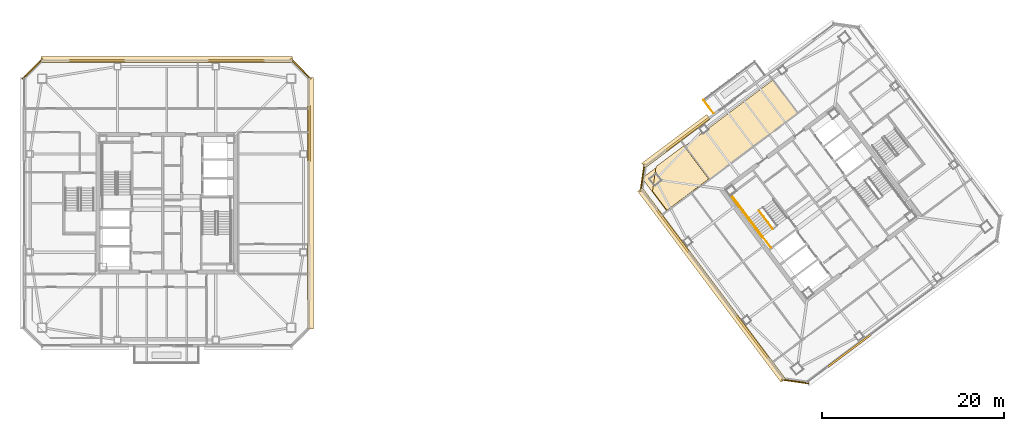
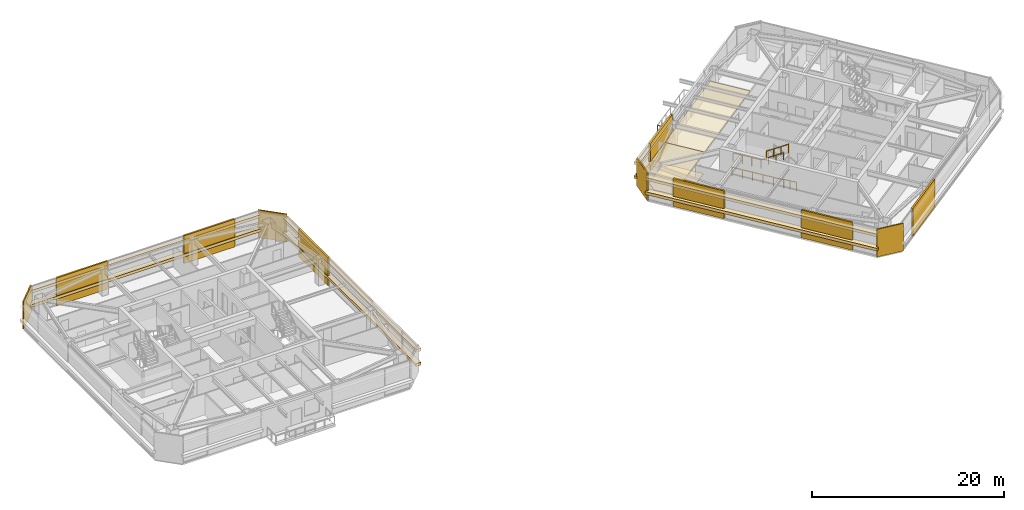
# One storey, part 33 of 36: 22 coverings, 6 railings.
"""IFC4 building model written with IfcOpenShell, lengths in metres."""

from ifc_helpers import new_model, si_unit, direction, frame, origin, origin_2d, place, context, subcontext, project, spatial, polyline, rectangle, outline, extrude, material, layer, layer_set, type_object, element, save


model = new_model("IFC4")

# Units and contexts
model_context = context("Model", 3, precision=1e-05, world=origin(), true_north=direction((0.0, 1.0)))
body_context = subcontext(model_context, "Body", "Model", "MODEL_VIEW")
ifc_project = project(units=[si_unit("LENGTHUNIT", "METRE"), si_unit("AREAUNIT", "SQUARE_METRE"), si_unit("VOLUMEUNIT", "CUBIC_METRE"), si_unit("PLANEANGLEUNIT", "RADIAN"), si_unit("MASSUNIT", "GRAM", prefix="KILO")], contexts=[model_context])

# Site, building, storey
site_placement = place(None, origin())
site = spatial("IfcSite", under=ifc_project, at=site_placement, CompositionType="ELEMENT")
building_placement = place(site_placement, origin())
building = spatial("IfcBuilding", under=site, at=building_placement, Name="Tashvorn Skyway Center", CompositionType="ELEMENT")
storey_placement = place(building_placement, frame((0.0, 0.0, 236.14990234375)))
storey = spatial("IfcBuildingStorey", under=building, at=storey_placement, Name="L64", CompositionType="ELEMENT", Elevation=236.14990234375)

# Coverings
ifc_material_1 = material(Name="Precast concrete C40/50", Category="concrete")
ifc_layer_1 = layer(ifc_material_1, 0.199951171875)
ifc_layer_set_1 = layer_set([ifc_layer_1], Name="Precast concrete C40/50")
covering_type_1 = type_object("IfcCoveringType", Name="COV-BRACE-CLAD", PredefinedType="CLADDING", material=ifc_layer_set_1)
for number, where, z_axis, x_axis, name in (
    (1, (34.344482421875, 47.679931640625, 0.0), (0.0, 0.0, 1.0), (1.0, 0.0, 0.0), "Tower 1 L64 North Unitised Curtain Wall Mega-Brace Cladding Band 1"),
    (2, (49.655517578125, 47.679931640625, 0.0), (0.0, 0.0, 1.0), (1.0, 0.0, 0.0), "Tower 1 L64 North Unitised Curtain Wall Mega-Brace Cladding Band 2"),
    (3, (57.679931640625, 39.655517578125, 0.0), (0.0, 0.0, 1.0), (0.0, -1.0, 0.0), "Tower 1 L64 East Unitised Curtain Wall Mega-Brace Cladding Band 1"),
):
    element("IfcCovering", number, at=place(storey_placement, frame(where, z_axis=z_axis, x_axis=x_axis)), inside=storey, type_object=covering_type_1, Name=name, PredefinedType="CLADDING", context=body_context, shape_type="SweptSolid", body=[
        extrude(rectangle(XDim=6.12451171875, YDim=0.199951171875, at=origin_2d()), origin(), (0.0, 0.0, 1.0), 3.550048828125),
    ])
for number, where, z_axis, x_axis, name in (
    (4, (117.11474609375, 15.736083984375, 0.0), (0.0, 0.0, 1.0), (-0.799999996291, -0.600000004945, 0.0), "Tower 2 L64 South Unitised Curtain Wall Mega-Brace Cladding Band 2"),
    (5, (106.4560546875, 17.258544921875, 0.0), (0.0, 0.0, 1.0), (-0.600000004945, 0.799999996291, 0.0), "Tower 2 L64 West Unitised Curtain Wall Mega-Brace Cladding Band 1"),
    (6, (97.736083984375, 28.88525390625, 0.0), (0.0, 0.0, 1.0), (-0.600000004945, 0.799999996291, 0.0), "Tower 2 L64 West Unitised Curtain Wall Mega-Brace Cladding Band 2"),
):
    element("IfcCovering", number, at=place(storey_placement, frame(where, z_axis=z_axis, x_axis=x_axis)), inside=storey, type_object=covering_type_1, Name=name, PredefinedType="CLADDING", context=body_context, shape_type="SweptSolid", body=[
        extrude(rectangle(XDim=5.8134765625, YDim=0.199951171875, at=origin_2d()), origin(), (0.0, 0.0, 1.0), 3.550048828125),
    ])
covering_1_placement = place(storey_placement, frame((99.3173828125, 39.587890625, 0.0), z_axis=(0.0, 0.0, 1.0), x_axis=(0.799999996291, 0.600000004945, 0.0)))
element("IfcCovering", 7, at=covering_1_placement, inside=storey, type_object=covering_type_1, Name="Tower 2 L64 North Curtain Wall L Mega-Brace Cladding Band 1", PredefinedType="CLADDING", context=body_context, shape_type="SweptSolid", body=[
    extrude(rectangle(XDim=5.88671875, YDim=0.199951171875, at=origin_2d()), origin(), (0.0, 0.0, 1.0), 3.550048828125),
])
ifc_material_2 = material(Name="Mineral-fibre acoustic ceiling tile on suspended grid")
ifc_layer_2 = layer(ifc_material_2, 0.02001953125)
ifc_layer_set_2 = layer_set([ifc_layer_2], Name="Mineral-fibre acoustic ceiling tile on suspended grid")
covering_type_2 = type_object("IfcCoveringType", Name="COV-CEIL-20", PredefinedType="CEILING", material=ifc_layer_set_2)
covering_2_placement = place(storey_placement, frame((0.0, 0.0, 2.703125)))
element("IfcCovering", 8, at=covering_2_placement, inside=storey, type_object=covering_type_2, Name="Tower 2 L64 Executive Suite Acoustic Ceiling", PredefinedType="CEILING", context=body_context, shape_type="SweptSolid", body=[
    extrude(outline(polyline([(97.050048828125, 31.10009765625), (101.77001953125, 34.639892578125), (99.0400390625, 38.280029296875), (94.320068359375, 34.739990234375), (97.050048828125, 31.10009765625)])), origin(), (0.0, 0.0, 1.0), 0.02001953125),
])
covering_3_placement = place(storey_placement, frame((0.0, 0.0, 2.703125)))
element("IfcCovering", 9, at=covering_3_placement, inside=storey, type_object=covering_type_2, Name="Tower 2 L64 Executive Suite Acoustic Ceiling", PredefinedType="CEILING", context=body_context, shape_type="SweptSolid", body=[
    extrude(outline(polyline([(101.77001953125, 34.639892578125), (111.449951171875, 41.89990234375), (108.719970703125, 45.5400390625), (99.0400390625, 38.280029296875), (101.77001953125, 34.639892578125)])), origin(), (0.0, 0.0, 1.0), 0.02001953125),
])
ifc_material_3 = material(Name="Polished Mojave desert-aggregate terrazzo and cover plate")
ifc_layer_3 = layer(ifc_material_3, 0.0400390625)
ifc_layer_set_3 = layer_set([ifc_layer_3], Name="Polished Mojave desert-aggregate terrazzo and cover plate")
covering_type_3 = type_object("IfcCoveringType", Name="COV-FLR-40", PredefinedType="FLOORING", material=ifc_layer_set_3)
covering_4_placement = place(storey_placement, origin())
element("IfcCovering", 10, at=covering_4_placement, inside=storey, type_object=covering_type_3, Name="Tower 2 L64 Executive Suite Finish Flooring", PredefinedType="FLOORING", context=body_context, shape_type="SweptSolid", body=[
    extrude(outline(polyline([(101.657958984375, 34.656005859375), (97.06591796875, 31.2119140625), (95.47607421875, 33.33203125), (95.860107421875, 36.02001953125), (98.916015625, 38.31201171875), (101.657958984375, 34.656005859375)])), origin(), (0.0, 0.0, 1.0), 0.0400390625),
])
ifc_material_4 = material(Name="Perforated ceramic-coated bronze aluminium solar screen", Category="aluminium")
ifc_layer_4 = layer(ifc_material_4, 0.85009765625)
ifc_layer_set_4 = layer_set([ifc_layer_4], Name="Perforated ceramic-coated bronze aluminium solar screen")
covering_type_4 = type_object("IfcCoveringType", Name="COV-SOLAR-BAND", PredefinedType="CLADDING", material=ifc_layer_set_4)
for number, where, z_axis, x_axis, name in (
    (11, (42.0, 47.820068359375, 0.919921875), (0.0, 0.0, 1.0), (1.0, 0.0, 0.0), "L64 Perforated Ceramic-Metal Solar Screen Louvre Band North 1"),
    (12, (42.0, 47.820068359375, 2.72021484375), (0.0, 0.0, 1.0), (1.0, 0.0, 0.0), "L64 Perforated Ceramic-Metal Solar Screen Louvre Band North 2"),
    (13, (57.820068359375, 32.0, 0.919921875), (0.0, 0.0, 1.0), (0.0, -1.0, 0.0), "L64 Perforated Ceramic-Metal Solar Screen Louvre Band East 1"),
    (14, (57.820068359375, 32.0, 2.72021484375), (0.0, 0.0, 1.0), (0.0, -1.0, 0.0), "L64 Perforated Ceramic-Metal Solar Screen Louvre Band East 2"),
):
    element("IfcCovering", number, at=place(storey_placement, frame(where, z_axis=z_axis, x_axis=x_axis)), inside=storey, type_object=covering_type_4, Name=name, PredefinedType="CLADDING", context=body_context, shape_type="SweptSolid", body=[
        extrude(rectangle(XDim=27.679931640625, YDim=0.639892578125, at=origin_2d()), origin(), (0.0, 0.0, 1.0), 0.360107421875),
    ])
for number, where, z_axis, x_axis, name in (
    (15, (101.98388671875, 22.988037109375, 0.919921875), (0.0, 0.0, 1.0), (-0.600000004945, 0.799999996291, 0.0), "L64 Perforated Ceramic-Metal Solar Screen Louvre Band West 1"),
    (16, (101.98388671875, 22.988037109375, 2.72021484375), (0.0, 0.0, 1.0), (-0.600000004945, 0.799999996291, 0.0), "L64 Perforated Ceramic-Metal Solar Screen Louvre Band West 2"),
):
    element("IfcCovering", number, at=place(storey_placement, frame(where, z_axis=z_axis, x_axis=x_axis)), inside=storey, type_object=covering_type_4, Name=name, PredefinedType="CLADDING", context=body_context, shape_type="SweptSolid", body=[
        extrude(rectangle(XDim=26.280029296875, YDim=0.639892578125, at=origin_2d()), origin(), (0.0, 0.0, 1.0), 0.360107421875),
    ])
for number, where, z_axis, x_axis, name in (
    (17, (98.055908203125, 38.81689453125, 0.919921875), (0.0, 0.0, 1.0), (0.799999996291, 0.600000004945, 0.0), "L64 Perforated Ceramic-Metal Solar Screen Louvre Band North 1"),
    (18, (98.055908203125, 38.81689453125, 2.72021484375), (0.0, 0.0, 1.0), (0.799999996291, 0.600000004945, 0.0), "L64 Perforated Ceramic-Metal Solar Screen Louvre Band North 2"),
):
    element("IfcCovering", number, at=place(storey_placement, frame(where, z_axis=z_axis, x_axis=x_axis)), inside=storey, type_object=covering_type_4, Name=name, PredefinedType="CLADDING", context=body_context, shape_type="SweptSolid", body=[
        extrude(rectangle(XDim=8.949951171875, YDim=0.639892578125, at=origin_2d()), origin(), (0.0, 0.0, 1.0), 0.360107421875),
    ])
ifc_layer_5 = layer(ifc_material_1, 0.35009765625)
ifc_layer_set_5 = layer_set([ifc_layer_5], Name="Precast concrete C40/50")
covering_type_5 = type_object("IfcCoveringType", Name="COV-STONE-TRIM", PredefinedType="CLADDING", material=ifc_layer_set_5)
for number, where, z_axis, x_axis, name in (
    (19, (27.22998046875, 46.77001953125, 0.02001953125), (0.0, 0.0, 1.0), (-0.707106781187, -0.707106781187, 0.0), "Tower 1 L64 NW Mojave Limestone Corner Quoin"),
    (20, (56.77001953125, 46.77001953125, 0.02001953125), (0.0, 0.0, 1.0), (0.707106781187, -0.707106781187, 0.0), "Tower 1 L64 NE Mojave Limestone Corner Quoin"),
):
    element("IfcCovering", number, at=place(storey_placement, frame(where, z_axis=z_axis, x_axis=x_axis)), inside=storey, type_object=covering_type_5, Name=name, PredefinedType="CLADDING", context=body_context, shape_type="SweptSolid", body=[
        extrude(rectangle(XDim=3.1298828125, YDim=0.139892578125, at=origin_2d()), origin(), (0.0, 0.0, 1.0), 3.510009765625),
    ])
for number, where, z_axis, x_axis, name in (
    (21, (111.196044921875, 12.3720703125, 0.02001953125), (0.0, 0.0, 1.0), (-0.989949494535, 0.141421350118, 0.0), "Tower 2 L64 SW Mojave Limestone Corner Quoin"),
    (22, (94.3720703125, 34.803955078125, 0.02001953125), (0.0, 0.0, 1.0), (-0.141421350118, -0.989949494535, 0.0), "Tower 2 L64 NW Mojave Limestone Corner Quoin"),
):
    element("IfcCovering", number, at=place(storey_placement, frame(where, z_axis=z_axis, x_axis=x_axis)), inside=storey, type_object=covering_type_5, Name=name, PredefinedType="CLADDING", context=body_context, shape_type="SweptSolid", body=[
        extrude(rectangle(XDim=2.98828125, YDim=0.139892578125, at=origin_2d()), origin(), (0.0, 0.0, 1.0), 3.510009765625),
    ])

# Railings
ifc_material_5 = material(Name="Galvanized steel S355", Category="steel")
railing_type_1 = type_object("IfcRailingType", Name="RAIL-GUARD-1120", PredefinedType="GUARDRAIL", material=ifc_material_5)
railing_1_placement = place(storey_placement, frame((102.18408203125, 41.887939453125, 0.0)))
element("IfcRailing", 23, at=railing_1_placement, inside=storey, type_object=railing_type_1, Name="L64 Tower 2 Terrace Guardrail 01", PredefinedType="GUARDRAIL", context=body_context, shape_type="SweptSolid", body=[
    extrude(rectangle(XDim=0.048095703125, YDim=0.048095703125, at=origin_2d()), frame((0.0, 0.0, 1.09619140625), z_axis=(-0.6, 0.8, 0.0), x_axis=(-0.8, -0.6, 0.0)), (0.0, 0.0, 1.0), 1.820068359375),
    extrude(rectangle(XDim=0.0419921875, YDim=0.0419921875, at=origin_2d()), origin(), (0.0, 0.0, 1.0), 1.072021484375),
    extrude(rectangle(XDim=0.0419921875, YDim=0.0419921875, at=origin_2d()), frame((-0.5458984375, 0.72802734375, 0.0)), (0.0, 0.0, 1.0), 1.072021484375),
    extrude(rectangle(XDim=0.0419921875, YDim=0.0419921875, at=origin_2d()), frame((-1.092041015625, 1.4560546875, 0.0)), (0.0, 0.0, 1.0), 1.072021484375),
])
ifc_material_6 = material(Name="Brushed stainless steel 316", Category="steel")
railing_type_2 = type_object("IfcRailingType", Name="RAIL-HAND-920", PredefinedType="HANDRAIL", material=ifc_material_6)
railing_2_placement = place(storey_placement, frame((106.072021484375, 30.35400390625, 1.95263671875)))
element("IfcRailing", 24, at=railing_2_placement, inside=storey, type_object=railing_type_2, Name="L64 ST-T2-1 stair handrail 2", PredefinedType="HANDRAIL", context=body_context, shape_type="SweptSolid", body=[
    extrude(rectangle(XDim=0.048095703125, YDim=0.048095703125, at=origin_2d()), frame((0.0, 0.0, 0.8759765625), z_axis=(0.506740800098, -0.675708949977, 0.535379469569), x_axis=(0.800023250257, 0.599968998406, 0.0)), (0.0, 0.0, 1.0), 2.983642578125),
    extrude(rectangle(XDim=0.0419921875, YDim=0.0419921875, at=origin_2d()), origin(), (0.0, 0.0, 1.0), 0.851806640625),
    extrude(rectangle(XDim=0.0419921875, YDim=0.0419921875, at=origin_2d()), frame((0.50390625, -0.672119140625, 0.532470703125)), (0.0, 0.0, 1.0), 0.851806640625),
    extrude(rectangle(XDim=0.0419921875, YDim=0.0419921875, at=origin_2d()), frame((1.008056640625, -1.343994140625, 1.06494140625)), (0.0, 0.0, 1.0), 0.851806640625),
    extrude(rectangle(XDim=0.0419921875, YDim=0.0419921875, at=origin_2d()), frame((1.511962890625, -2.01611328125, 1.597412109375)), (0.0, 0.0, 1.0), 0.851806640625),
])
ifc_material_7 = material(Name="Painted galvanized steel S355", Category="steel")
railing_type_3 = type_object("IfcRailingType", Name="RAIL-STGUARD-1100", PredefinedType="GUARDRAIL", material=ifc_material_7)
railing_3_placement = place(storey_placement, frame((106.072021484375, 30.35400390625, 1.775146484375)))
element("IfcRailing", 25, at=railing_3_placement, inside=storey, type_object=railing_type_3, Name="L64 ST-T2-1 stair guard 3", PredefinedType="GUARDRAIL", context=body_context, shape_type="SweptSolid", body=[
    extrude(rectangle(XDim=0.048095703125, YDim=0.048095703125, at=origin_2d()), frame((0.0, 0.0, 1.076171875), z_axis=(-0.599987638607, 0.800009270896, 0.0), x_axis=(-0.800009270896, -0.599987638607, 0.0)), (0.0, 0.0, 1.0), 3.16015625),
    extrude(rectangle(XDim=0.0419921875, YDim=0.0419921875, at=origin_2d()), origin(), (0.0, 0.0, 1.0), 1.052001953125),
    extrude(rectangle(XDim=0.0419921875, YDim=0.0419921875, at=origin_2d()), frame((-0.632080078125, 0.8427734375, 0.0)), (0.0, 0.0, 1.0), 1.052001953125),
    extrude(rectangle(XDim=0.0419921875, YDim=0.0419921875, at=origin_2d()), frame((-1.263916015625, 1.685302734375, 0.0)), (0.0, 0.0, 1.0), 1.052001953125),
    extrude(rectangle(XDim=0.0419921875, YDim=0.0419921875, at=origin_2d()), frame((-1.89599609375, 2.528076171875, 0.0)), (0.0, 0.0, 1.0), 1.052001953125),
])
railing_4_placement = place(storey_placement, frame((107.19189453125, 31.194091796875, 1.95263671875)))
element("IfcRailing", 26, at=railing_4_placement, inside=storey, type_object=railing_type_3, Name="L64 ST-T2-1 stair guard 4", PredefinedType="GUARDRAIL", context=body_context, shape_type="SweptSolid", body=[
    extrude(rectangle(XDim=0.048095703125, YDim=0.048095703125, at=origin_2d()), frame((0.0, 0.0, 1.076171875), z_axis=(0.506801609611, -0.675680931896, 0.535357270211), x_axis=(0.799976749893, 0.600030998891, 0.0)), (0.0, 0.0, 1.0), 2.98388671875),
    extrude(rectangle(XDim=0.0419921875, YDim=0.0419921875, at=origin_2d()), origin(), (0.0, 0.0, 1.0), 1.052001953125),
    extrude(rectangle(XDim=0.0419921875, YDim=0.0419921875, at=origin_2d()), frame((0.504150390625, -0.672119140625, 0.532470703125)), (0.0, 0.0, 1.0), 1.052001953125),
    extrude(rectangle(XDim=0.0419921875, YDim=0.0419921875, at=origin_2d()), frame((1.008056640625, -1.343994140625, 1.06494140625)), (0.0, 0.0, 1.0), 1.052001953125),
    extrude(rectangle(XDim=0.0419921875, YDim=0.0419921875, at=origin_2d()), frame((1.51220703125, -2.01611328125, 1.597412109375)), (0.0, 0.0, 1.0), 1.052001953125),
])
railing_5_placement = place(storey_placement, frame((108.49609375, 27.1220703125, 0.0)))
element("IfcRailing", 27, at=railing_5_placement, inside=storey, type_object=railing_type_3, Name="L64 ST-T2-1 stair guard 6", PredefinedType="GUARDRAIL", context=body_context, shape_type="SweptSolid", body=[
    extrude(rectangle(XDim=0.048095703125, YDim=0.048095703125, at=origin_2d()), frame((0.0, 0.0, 1.076171875), z_axis=(-0.600102796382, 0.799922892393, 0.0), x_axis=(-0.799922892393, -0.600102796382, 0.0)), (0.0, 0.0, 1.0), 1.52001953125),
    extrude(rectangle(XDim=0.0419921875, YDim=0.0419921875, at=origin_2d()), origin(), (0.0, 0.0, 1.0), 1.052001953125),
    extrude(rectangle(XDim=0.0419921875, YDim=0.0419921875, at=origin_2d()), frame((-0.4560546875, 0.60791015625, 0.0)), (0.0, 0.0, 1.0), 1.052001953125),
    extrude(rectangle(XDim=0.0419921875, YDim=0.0419921875, at=origin_2d()), frame((-0.912109375, 1.2158203125, 0.0)), (0.0, 0.0, 1.0), 1.052001953125),
])
railing_6_placement = place(storey_placement, frame((107.56396484375, 28.197998046875, 0.0)))
element("IfcRailing", 28, at=railing_6_placement, inside=storey, type_object=railing_type_3, Name="L64 ST-T2-1 stair guard 7", PredefinedType="GUARDRAIL", context=body_context, shape_type="SweptSolid", body=[
    extrude(rectangle(XDim=0.048095703125, YDim=0.048095703125, at=origin_2d()), frame((0.0, 0.0, 1.076171875), z_axis=(-0.6, 0.8, 0.0), x_axis=(-0.8, -0.6, 0.0)), (0.0, 0.0, 1.0), 5.880126953125),
    extrude(rectangle(XDim=0.0419921875, YDim=0.0419921875, at=origin_2d()), origin(), (0.0, 0.0, 1.0), 1.052001953125),
    extrude(rectangle(XDim=0.0419921875, YDim=0.0419921875, at=origin_2d()), frame((-0.70556640625, 0.94091796875, 0.0)), (0.0, 0.0, 1.0), 1.052001953125),
    extrude(rectangle(XDim=0.0419921875, YDim=0.0419921875, at=origin_2d()), frame((-1.4111328125, 1.881591796875, 0.0)), (0.0, 0.0, 1.0), 1.052001953125),
    extrude(rectangle(XDim=0.0419921875, YDim=0.0419921875, at=origin_2d()), frame((-2.116943359375, 2.822509765625, 0.0)), (0.0, 0.0, 1.0), 1.052001953125),
    extrude(rectangle(XDim=0.0419921875, YDim=0.0419921875, at=origin_2d()), frame((-2.822509765625, 3.76318359375, 0.0)), (0.0, 0.0, 1.0), 1.052001953125),
    extrude(rectangle(XDim=0.0419921875, YDim=0.0419921875, at=origin_2d()), frame((-3.528076171875, 4.7041015625, 0.0)), (0.0, 0.0, 1.0), 1.052001953125),
])

save(model, "model.ifc")
